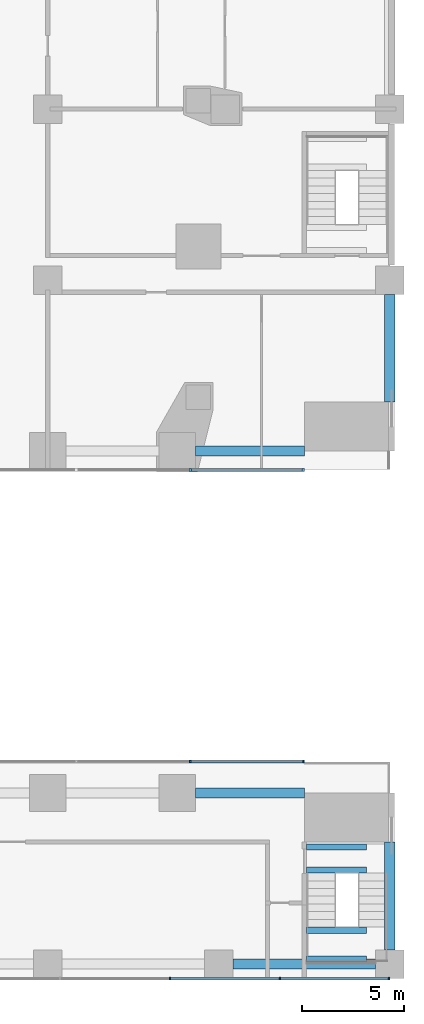
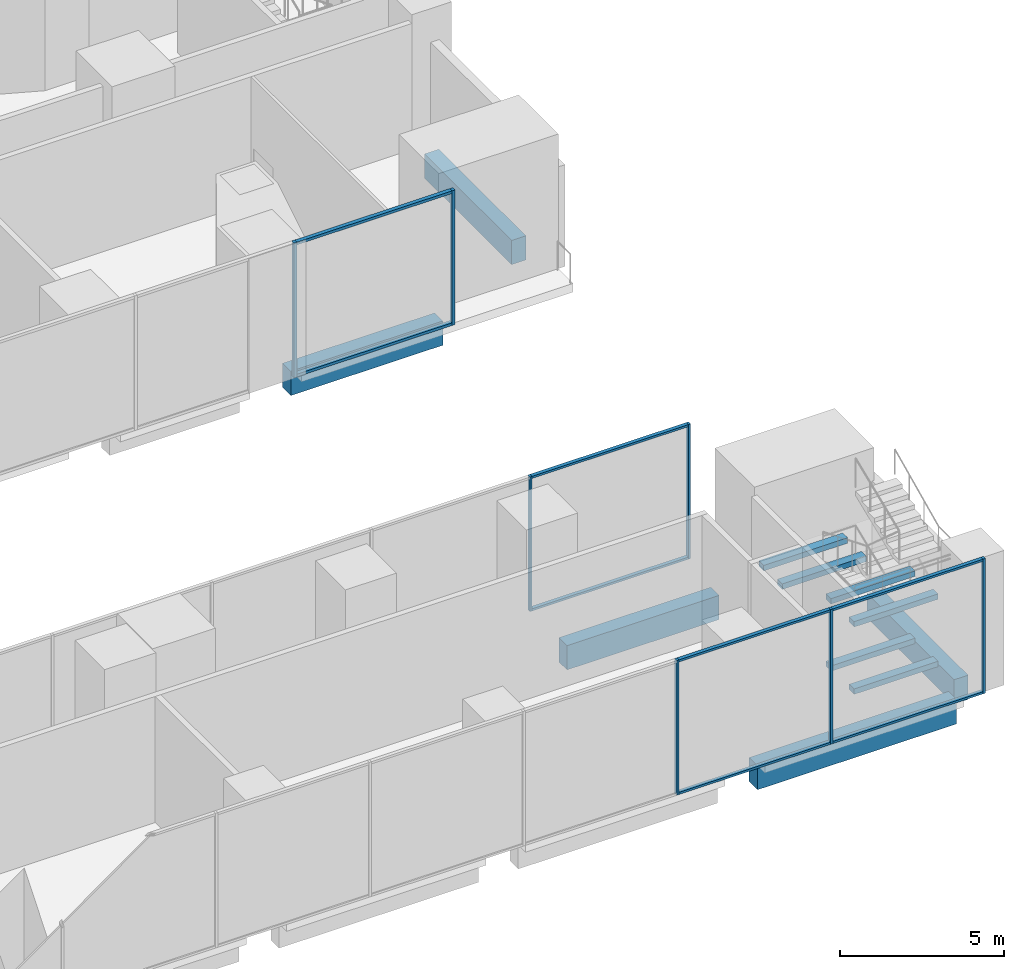
# One storey, part 7 of 24: 15 members, 11 beams, 3 elements without a shape of their own.
"""IFC4 building model written with IfcOpenShell, lengths in metres."""

import ifcopenshell
import ifcopenshell.guid

model = None  # the IFC model being written
_history = None  # IfcOwnerHistory: only IFC2X3 demands one
_inside = {}  # id of a spatial element -> (the spatial element, [elements in it])
_under = {}  # id of a project, library or spatial element -> (it, [spatial elements below it])
_declared = {}  # id of a project -> (the project, [libraries it declares])
_typed = {}  # id of a type object -> (the type object, [elements of that type])
_made_of = {}  # id of a material, layer set ... -> (it, [elements and type objects made of it])


def new_model(schema):
    """Start an empty IFC model of exactly this schema.

    Asked for "IFC4X3", IfcOpenShell would pick the latest addendum, in which some entities
    have other attributes; the version numbers below select the first issue.
    IFC2X3 requires an IfcOwnerHistory on every rooted entity: one is made here for all.
    """
    global model, _history
    if schema == "IFC4X3":
        model = ifcopenshell.file(schema_version=(4, 3, 0, 0))
    else:
        model = ifcopenshell.file(schema=schema)
    _inside.clear()
    _under.clear()
    _declared.clear()
    _typed.clear()
    _made_of.clear()
    _history = None
    if model.schema == "IFC2X3":
        org = make("IfcOrganization", Name="unknown")
        user = make(
            "IfcPersonAndOrganization",
            ThePerson=make("IfcPerson", FamilyName="unknown"),
            TheOrganization=org,
        )
        app = make(
            "IfcApplication",
            ApplicationDeveloper=org,
            Version="unknown",
            ApplicationFullName="unknown",
            ApplicationIdentifier="unknown",
        )
        _history = make(
            "IfcOwnerHistory",
            OwningUser=user,
            OwningApplication=app,
            ChangeAction="ADDED",
            CreationDate=0,
        )
    return model


def make(cls, **values):
    """One entity of the class cls with the attributes given. An attribute that is None is left unset."""
    return model.create_entity(
        cls, **{name: value for name, value in values.items() if value is not None}
    )


def rooted(cls, **values):
    """An entity with a GlobalId (a new one), such as an element, a storey or a relation."""
    return make(cls, GlobalId=ifcopenshell.guid.new(), OwnerHistory=_history, **values)


def si_unit(unit_type, name, prefix=None):
    """IfcSIUnit, for example si_unit("LENGTHUNIT", "METRE", prefix="MILLI")."""
    return make("IfcSIUnit", UnitType=unit_type, Prefix=prefix, Name=name)


def assignment(units):
    """IfcUnitAssignment: the units of a project."""
    return None if units is None else make("IfcUnitAssignment", Units=units)


def point(xyz):
    """IfcCartesianPoint."""
    return None if xyz is None else make("IfcCartesianPoint", Coordinates=xyz)


def direction(xyz):
    """IfcDirection."""
    return None if xyz is None else make("IfcDirection", DirectionRatios=xyz)


def frame(location, z_axis=None, x_axis=None):
    """IfcAxis2Placement3D, a coordinate frame: its origin and axes. An axis left out is left unset."""
    return make(
        "IfcAxis2Placement3D",
        Location=point(location),
        Axis=direction(z_axis),
        RefDirection=direction(x_axis),
    )


def frame_2d(location, x_axis=None):
    """IfcAxis2Placement2D, a coordinate frame in the plane: its origin and x axis."""
    return make(
        "IfcAxis2Placement2D", Location=point(location), RefDirection=direction(x_axis)
    )


def origin():
    """The frame at (0, 0, 0) with its axes left unset."""
    return frame((0.0, 0.0, 0.0))


def origin_2d():
    """The frame at (0, 0) in the plane with its x axis left unset."""
    return frame_2d((0.0, 0.0))


def place(relative_to, where):
    """IfcLocalPlacement: puts the frame where relative to a parent placement (None: the world)."""
    return make(
        "IfcLocalPlacement", PlacementRelTo=relative_to, RelativePlacement=where
    )


def context(
    kind, dimensions, precision=None, world=None, true_north=None, identifier=None
):
    """IfcGeometricRepresentationContext, for example the 3D "Model" context."""
    return make(
        "IfcGeometricRepresentationContext",
        ContextIdentifier=identifier,
        ContextType=kind,
        CoordinateSpaceDimension=dimensions,
        Precision=precision,
        WorldCoordinateSystem=world,
        TrueNorth=true_north,
    )


def subcontext(parent, identifier, kind, view, scale=None):
    """IfcGeometricRepresentationSubContext, for example "Body" below "Model"."""
    return make(
        "IfcGeometricRepresentationSubContext",
        ContextIdentifier=identifier,
        ContextType=kind,
        ParentContext=parent,
        TargetScale=scale,
        TargetView=view,
    )


def project(units=None, contexts=None):
    """IfcProject with its units and contexts."""
    return rooted(
        "IfcProject",
        Name="project",
        RepresentationContexts=contexts,
        UnitsInContext=assignment(units),
    )


def spatial(cls, under=None, at=None, **own):
    """A site, building, storey or space (cls), placed at a placement, below another one or the project."""
    s = rooted(cls, ObjectPlacement=at, **own)
    if under is not None:
        _under.setdefault(under.id(), (under, []))[1].append(s)
    return s


def profile(cls, at=None, kind="AREA", **sizes):
    """A parametric profile (cls). Its sizes go by their IFC names, for example OverallWidth=200.0."""
    return make(cls, ProfileType=kind, Position=at, **sizes)


def rectangle(**sizes):
    """IfcRectangleProfileDef."""
    return profile("IfcRectangleProfileDef", **sizes)


def extrude(swept, where, along, depth):
    """IfcExtrudedAreaSolid: the profile swept, set in the frame where, extruded along a direction by depth."""
    return make(
        "IfcExtrudedAreaSolid",
        SweptArea=swept,
        Position=where,
        ExtrudedDirection=direction(along),
        Depth=depth,
    )


def shape(context_of_items, identifier, shape_type, items):
    """IfcShapeRepresentation: the items that make up one representation, for example the "Body"."""
    return make(
        "IfcShapeRepresentation",
        ContextOfItems=context_of_items,
        RepresentationIdentifier=identifier,
        RepresentationType=shape_type,
        Items=items,
    )


def material(Name=None, Category=None):
    """IfcMaterial."""
    return make("IfcMaterial", Name=Name, Category=Category)


def layer(
    of_material, thickness, ventilated=None, Name=None, Category=None, Priority=None
):
    """IfcMaterialLayer: one layer of a wall or slab, of a material (None: an air gap)."""
    return make(
        "IfcMaterialLayer",
        Material=of_material,
        LayerThickness=thickness,
        IsVentilated=ventilated,
        Name=Name,
        Category=Category,
        Priority=Priority,
    )


def layer_set(layers, Name=None):
    """IfcMaterialLayerSet."""
    return make("IfcMaterialLayerSet", MaterialLayers=layers, LayerSetName=Name)


def material_profile(
    of_material, cross_section, Name=None, Category=None, Priority=None
):
    """IfcMaterialProfile: a cross section and its material."""
    return make(
        "IfcMaterialProfile",
        Name=Name,
        Material=of_material,
        Profile=cross_section,
        Priority=Priority,
        Category=Category,
    )


def profile_set(profiles, Name=None, composite=None):
    """IfcMaterialProfileSet."""
    return make(
        "IfcMaterialProfileSet",
        Name=Name,
        MaterialProfiles=profiles,
        CompositeProfile=composite,
    )


def made_of(thing, what):
    """Note that an element or type object is made of a material, layer set ...; save() writes the relation."""
    if what is not None:
        _made_of.setdefault(what.id(), (what, []))[1].append(thing)
    return thing


def type_object(cls, material=None, **own):
    """A type object (cls), such as IfcWallType, which elements share."""
    return made_of(rooted(cls, **own), material)


def element(
    cls,
    number,
    at=None,
    inside=None,
    cuts=None,
    type_object=None,
    material=None,
    context=None,
    identifier="Body",
    shape_type=None,
    held_by="IfcProductDefinitionShape",
    body=None,
    shapes=None,
    **own,
):
    """One element of the class cls, such as IfcWall. Its Tag is "e" and its number.

    at: its placement. inside: the storey or other place that contains it. cuts: it is an
    opening in that element (IfcRelVoidsElement). A single representation is given by context,
    identifier, shape_type and body (its items); several are given by shapes. held_by: the class
    of the entity that holds the representations. save() writes the other relations.
    """
    e = rooted(cls, Tag="e%d" % number, ObjectPlacement=at, **own)
    if body is not None:
        shapes = [shape(context, identifier, shape_type, body)]
    if shapes is not None:
        e.Representation = make(held_by, Representations=shapes)
    if inside is not None:
        _inside.setdefault(inside.id(), (inside, []))[1].append(e)
    if cuts is not None:
        rooted(
            "IfcRelVoidsElement", RelatingBuildingElement=cuts, RelatedOpeningElement=e
        )
    if type_object is not None:
        _typed.setdefault(type_object.id(), (type_object, []))[1].append(e)
    return made_of(e, material)


def aggregate(whole, parts):
    """IfcRelAggregates: a whole, such as a stair, and the parts it consists of."""
    return rooted("IfcRelAggregates", RelatingObject=whole, RelatedObjects=parts)


def save(model, path):
    """Write the relations noted so far, then the file.

    IfcRelAggregates (storeys below a building ...), IfcRelContainedInSpatialStructure (elements
    in a storey), IfcRelDefinesByType, IfcRelAssociatesMaterial and IfcRelDeclares: one each for
    every whole, place, type object, material and project.
    """
    for whole, parts in _under.values():
        aggregate(whole, parts)
    for where, things in _inside.values():
        rooted(
            "IfcRelContainedInSpatialStructure",
            RelatedElements=things,
            RelatingStructure=where,
        )
    for kind, things in _typed.values():
        rooted("IfcRelDefinesByType", RelatedObjects=things, RelatingType=kind)
    for what, things in _made_of.values():
        rooted("IfcRelAssociatesMaterial", RelatedObjects=things, RelatingMaterial=what)
    for by, libraries in _declared.values():
        rooted("IfcRelDeclares", RelatingContext=by, RelatedDefinitions=libraries)
    model.write(path)


model = new_model("IFC4")

# Units and contexts
model_context = context("Model", 3, precision=1e-05, world=origin(), true_north=direction((0.0, 1.0)))
body_context = subcontext(model_context, "Body", "Model", "MODEL_VIEW")
ifc_project = project(units=[si_unit("LENGTHUNIT", "METRE"), si_unit("AREAUNIT", "SQUARE_METRE"), si_unit("VOLUMEUNIT", "CUBIC_METRE"), si_unit("PLANEANGLEUNIT", "RADIAN"), si_unit("MASSUNIT", "GRAM", prefix="KILO")], contexts=[model_context])

# Site, building, storey
site_placement = place(None, origin())
site = spatial("IfcSite", under=ifc_project, at=site_placement, CompositionType="ELEMENT")
building_placement = place(site_placement, origin())
building = spatial("IfcBuilding", under=site, at=building_placement, Name="Marenta Gate Hotel Tower", CompositionType="ELEMENT")
storey_placement = place(building_placement, frame((0.0, 0.0, 8.0)))
storey = spatial("IfcBuildingStorey", under=building, at=storey_placement, Name="L01", CompositionType="ELEMENT", Elevation=8.0)

# Curtain wall, members
ifc_material_1 = material(Name="Tinted insulated glass in bronze anodised frame", Category="glass")
ifc_layer_1 = layer(ifc_material_1, 0.1298828125)
ifc_layer_set_1 = layer_set([ifc_layer_1], Name="Tinted insulated glass in bronze anodised frame")
curtain_wall_type_1 = type_object("IfcCurtainWallType", Name="Podium shopfront glazing CW5", PredefinedType="NOTDEFINED", material=ifc_layer_set_1)
curtain_wall_1_placement = place(storey_placement, origin())
curtain_wall_1 = element("IfcCurtainWall", 1, at=curtain_wall_1_placement, inside=storey, type_object=curtain_wall_type_1, Name="CW5 run SB-S000", PredefinedType="NOTDEFINED")
ifc_material_2 = material(Name="Bronze anodised aluminium", Category="aluminium")
ifc_material_profile_1 = material_profile(ifc_material_2, rectangle(XDim=0.1298828125, YDim=0.080078125, at=origin_2d()), Name="Mullion CW5 80x130 bronze anodised aluminium")
ifc_profile_set_1 = profile_set([ifc_material_profile_1], Name="Bronze anodised aluminium")
member_type_1 = type_object("IfcMemberType", Name="Mullion CW5 80x130 bronze anodised aluminium", PredefinedType="MULLION", material=ifc_profile_set_1)
member_1_placement = place(storey_placement, frame((27.0, -25.9189453125, 0.0), z_axis=(0.0, 0.0, 1.0), x_axis=(0.0, 1.0, 0.0)))
member_1 = element("IfcMember", 2, at=member_1_placement, type_object=member_type_1, Name="CW5 mullion 13", PredefinedType="MULLION", context=body_context, shape_type="SweptSolid", body=[
    extrude(rectangle(XDim=0.1298828125, YDim=0.080078125, at=origin_2d()), origin(), (0.0, 0.0, 1.0), 5.0),
])
member_2_placement = place(storey_placement, frame((32.39990234375, -25.9189453125, 0.0), z_axis=(0.0, 0.0, 1.0), x_axis=(0.0, 1.0, 0.0)))
member_2 = element("IfcMember", 3, at=member_2_placement, type_object=member_type_1, Name="CW5 mullion 14", PredefinedType="MULLION", context=body_context, shape_type="SweptSolid", body=[
    extrude(rectangle(XDim=0.1298828125, YDim=0.080078125, at=origin_2d()), origin(), (0.0, 0.0, 1.0), 5.0),
])
member_3_placement = place(storey_placement, frame((37.760009765625, -25.9189453125, 0.0), z_axis=(0.0, 0.0, 1.0), x_axis=(0.0, 1.0, 0.0)))
member_3 = element("IfcMember", 4, at=member_3_placement, type_object=member_type_1, Name="CW5 mullion 15", PredefinedType="MULLION", context=body_context, shape_type="SweptSolid", body=[
    extrude(rectangle(XDim=0.1298828125, YDim=0.080078125, at=origin_2d()), origin(), (0.0, 0.0, 1.0), 5.0),
])

curtain_wall_2_placement = place(storey_placement, origin())
curtain_wall_2 = element("IfcCurtainWall", 5, at=curtain_wall_2_placement, inside=storey, type_object=curtain_wall_type_1, Name="CW5 run SB-N000", PredefinedType="NOTDEFINED")
member_4_placement = place(storey_placement, frame((33.56005859375, -15.255859375, 0.0), z_axis=(0.0, 0.0, 1.0), x_axis=(0.0, -1.0, 0.0)))
member_4 = element("IfcMember", 6, at=member_4_placement, type_object=member_type_1, Name="CW5 mullion 1", PredefinedType="MULLION", context=body_context, shape_type="SweptSolid", body=[
    extrude(rectangle(XDim=0.1298828125, YDim=0.080078125, at=origin_2d()), origin(), (0.0, 0.0, 1.0), 5.0),
])
member_5_placement = place(storey_placement, frame((28.0, -15.255859375, 0.0), z_axis=(0.0, 0.0, 1.0), x_axis=(0.0, -1.0, 0.0)))
member_5 = element("IfcMember", 7, at=member_5_placement, type_object=member_type_1, Name="CW5 mullion 2", PredefinedType="MULLION", context=body_context, shape_type="SweptSolid", body=[
    extrude(rectangle(XDim=0.1298828125, YDim=0.080078125, at=origin_2d()), origin(), (0.0, 0.0, 1.0), 5.0),
])

ifc_material_3 = material(Name="Tinted insulated glass in bronze anodised frame", Category="glass")
ifc_layer_2 = layer(ifc_material_3, 0.139892578125)
ifc_layer_set_2 = layer_set([ifc_layer_2], Name="Tinted insulated glass in bronze anodised frame")
curtain_wall_type_2 = type_object("IfcCurtainWallType", Name="Hotel lobby glazing CW6", PredefinedType="NOTDEFINED", material=ifc_layer_set_2)
curtain_wall_3_placement = place(storey_placement, origin())
curtain_wall_3 = element("IfcCurtainWall", 8, at=curtain_wall_3_placement, inside=storey, type_object=curtain_wall_type_2, Name="CW6 run NB-S100", PredefinedType="NOTDEFINED")
ifc_material_4 = material(Name="Bronze anodised aluminium", Category="aluminium")
ifc_material_profile_2 = material_profile(ifc_material_4, rectangle(XDim=0.139892578125, YDim=0.10009765625, at=origin_2d()), Name="Mullion CW6 100x140 bronze anodised aluminium")
ifc_profile_set_2 = profile_set([ifc_material_profile_2], Name="Bronze anodised aluminium")
member_type_2 = type_object("IfcMemberType", Name="Mullion CW6 100x140 bronze anodised aluminium", PredefinedType="MULLION", material=ifc_profile_set_2)
member_6_placement = place(storey_placement, frame((28.0, -0.924072265625, 0.0), z_axis=(0.0, 0.0, 1.0), x_axis=(0.0, 1.0, 0.0)))
member_6 = element("IfcMember", 9, at=member_6_placement, type_object=member_type_2, Name="CW6 mullion 3", PredefinedType="MULLION", context=body_context, shape_type="SweptSolid", body=[
    extrude(rectangle(XDim=0.139892578125, YDim=0.10009765625, at=origin_2d()), origin(), (0.0, 0.0, 1.0), 5.0),
])
member_7_placement = place(storey_placement, frame((33.550048828125, -0.924072265625, 0.0), z_axis=(0.0, 0.0, 1.0), x_axis=(0.0, 1.0, 0.0)))
member_7 = element("IfcMember", 10, at=member_7_placement, type_object=member_type_2, Name="CW6 mullion 4", PredefinedType="MULLION", context=body_context, shape_type="SweptSolid", body=[
    extrude(rectangle(XDim=0.139892578125, YDim=0.10009765625, at=origin_2d()), origin(), (0.0, 0.0, 1.0), 5.0),
])

# Beams
ifc_material_5 = material(Name="Concrete C60", Category="concrete")
ifc_material_profile_3 = material_profile(ifc_material_5, rectangle(XDim=0.5, YDim=0.89990234375, at=origin_2d()), Name="500 x 900")
ifc_profile_set_3 = profile_set([ifc_material_profile_3], Name="Concrete C60")
beam_type_1 = type_object("IfcBeamType", Name="Podium edge beam 500 x 900 C60", PredefinedType="BEAM", material=ifc_profile_set_3)
beam_1_placement = place(storey_placement, frame((30.10009765625, -25.199951171875, -0.77001953125), z_axis=(1.0, 0.0, 0.0), x_axis=(0.0, 1.0, 0.0)))
element("IfcBeam", 11, at=beam_1_placement, inside=storey, type_object=beam_type_1, Name="L01-PBM-10", PredefinedType="BEAM", context=body_context, shape_type="SweptSolid", body=[
    extrude(rectangle(XDim=0.5, YDim=0.89990234375, at=origin_2d()), origin(), (0.0, 0.0, 1.0), 7.0),
])
beam_2_placement = place(storey_placement, frame((37.800048828125, -24.5, -0.77001953125), z_axis=(0.0, 1.0, 0.0), x_axis=(-1.0, 0.0, 0.0)))
element("IfcBeam", 12, at=beam_2_placement, inside=storey, type_object=beam_type_1, Name="L01-PBM-11", PredefinedType="BEAM", context=body_context, shape_type="SweptSolid", body=[
    extrude(rectangle(XDim=0.5, YDim=0.89990234375, at=origin_2d()), origin(), (0.0, 0.0, 1.0), 5.300048828125),
])
for number, where, z_axis, x_axis, name in (
    (13, (33.60009765625, -16.800048828125, -0.77001953125), (-1.0, 0.0, 0.0), (0.0, -1.0, 0.0), "L01-PBM-12"),
    (14, (28.262939453125, 0.0, -0.77001953125), (1.0, 0.0, 0.0), (0.0, 1.0, 0.0), "L01-PBM-25"),
):
    element("IfcBeam", number, at=place(storey_placement, frame(where, z_axis=z_axis, x_axis=x_axis)), inside=storey, type_object=beam_type_1, Name=name, PredefinedType="BEAM", context=body_context, shape_type="SweptSolid", body=[
        extrude(rectangle(XDim=0.5, YDim=0.89990234375, at=origin_2d()), origin(), (0.0, 0.0, 1.0), 5.337158203125),
    ])
beam_3_placement = place(storey_placement, frame((37.800048828125, 2.39990234375, -0.77001953125), z_axis=(0.0, 1.0, 0.0), x_axis=(-1.0, 0.0, 0.0)))
element("IfcBeam", 15, at=beam_3_placement, inside=storey, type_object=beam_type_1, Name="L01-PBM-26", PredefinedType="BEAM", context=body_context, shape_type="SweptSolid", body=[
    extrude(rectangle(XDim=0.5, YDim=0.89990234375, at=origin_2d()), origin(), (0.0, 0.0, 1.0), 5.300048828125),
])
ifc_material_6 = material(Name="Concrete C40", Category="concrete")
ifc_material_profile_4 = material_profile(ifc_material_6, rectangle(XDim=0.300048828125, YDim=0.199951171875, at=origin_2d()), Name="300 x 200")
ifc_profile_set_4 = profile_set([ifc_material_profile_4], Name="Concrete C40")
beam_type_2 = type_object("IfcBeamType", Name="Stair landing trimmer 300 x 200 C40", PredefinedType="BEAM", material=ifc_profile_set_4)
for number, where, z_axis, x_axis, name in (
    (16, (33.699951171875, -24.949951171875, 0.949951171875), (1.0, 0.0, 0.0), (0.0, 1.0, 0.0), "L01-PX2-LT-1"),
    (17, (33.699951171875, -23.5400390625, 0.949951171875), (1.0, 0.0, 0.0), (0.0, 1.0, 0.0), "L01-PX2-LT-2"),
    (18, (33.699951171875, -20.580078125, 2.199951171875), (1.0, 0.0, 0.0), (0.0, 1.0, 0.0), "L01-PX2-LT-3"),
    (19, (33.699951171875, -19.449951171875, 2.199951171875), (1.0, 0.0, 0.0), (0.0, 1.0, 0.0), "L01-PX2-LT-4"),
    (20, (33.699951171875, -24.949951171875, 3.449951171875), (1.0, 0.0, 0.0), (0.0, 1.0, 0.0), "L01-PX2-LT-5"),
    (21, (33.699951171875, -23.5400390625, 3.449951171875), (1.0, 0.0, 0.0), (0.0, 1.0, 0.0), "L01-PX2-LT-6"),
):
    element("IfcBeam", number, at=place(storey_placement, frame(where, z_axis=z_axis, x_axis=x_axis)), inside=storey, type_object=beam_type_2, Name=name, PredefinedType="BEAM", context=body_context, shape_type="SweptSolid", body=[
        extrude(rectangle(XDim=0.300048828125, YDim=0.199951171875, at=origin_2d()), origin(), (0.0, 0.0, 1.0), 2.949951171875),
    ])

# Member
ifc_material_7 = material(Name="Bronze anodised aluminium", Category="aluminium")
ifc_material_profile_5 = material_profile(ifc_material_7, rectangle(XDim=0.1298828125, YDim=0.080078125, at=origin_2d()), Name="Transom CW5 80x130 bronze anodised aluminium")
ifc_profile_set_5 = profile_set([ifc_material_profile_5], Name="Bronze anodised aluminium")
member_type_3 = type_object("IfcMemberType", Name="Transom CW5 80x130 bronze anodised aluminium", PredefinedType="USERDEFINED", material=ifc_profile_set_5)
member_8_placement = place(storey_placement, frame((27.0400390625, -25.9189453125, 0.0400390625), z_axis=(1.0, 0.0, 0.0), x_axis=(0.0, 1.0, 0.0)))
member_8 = element("IfcMember", 22, at=member_8_placement, type_object=member_type_3, Name="CW5 transom 13.1", ObjectType="TRANSOM", PredefinedType="USERDEFINED", context=body_context, shape_type="SweptSolid", body=[
    extrude(rectangle(XDim=0.1298828125, YDim=0.080078125, at=origin_2d()), origin(), (0.0, 0.0, 1.0), 5.320068359375),
])

member_9_placement = place(storey_placement, frame((27.0400390625, -25.9189453125, 4.9599609375), z_axis=(1.0, 0.0, 0.0), x_axis=(0.0, 1.0, 0.0)))
member_9 = element("IfcMember", 23, at=member_9_placement, type_object=member_type_3, Name="CW5 transom 13.2", ObjectType="TRANSOM", PredefinedType="USERDEFINED", context=body_context, shape_type="SweptSolid", body=[
    extrude(rectangle(XDim=0.1298828125, YDim=0.080078125, at=origin_2d()), origin(), (0.0, 0.0, 1.0), 5.320068359375),
])

member_10_placement = place(storey_placement, frame((32.43994140625, -25.9189453125, 0.0400390625), z_axis=(1.0, 0.0, 0.0), x_axis=(0.0, 1.0, 0.0)))
member_10 = element("IfcMember", 24, at=member_10_placement, type_object=member_type_3, Name="CW5 transom 14.1", ObjectType="TRANSOM", PredefinedType="USERDEFINED", context=body_context, shape_type="SweptSolid", body=[
    extrude(rectangle(XDim=0.1298828125, YDim=0.080078125, at=origin_2d()), origin(), (0.0, 0.0, 1.0), 5.280029296875),
])

member_11_placement = place(storey_placement, frame((32.43994140625, -25.9189453125, 4.9599609375), z_axis=(1.0, 0.0, 0.0), x_axis=(0.0, 1.0, 0.0)))
member_11 = element("IfcMember", 25, at=member_11_placement, type_object=member_type_3, Name="CW5 transom 14.2", ObjectType="TRANSOM", PredefinedType="USERDEFINED", context=body_context, shape_type="SweptSolid", body=[
    extrude(rectangle(XDim=0.1298828125, YDim=0.080078125, at=origin_2d()), origin(), (0.0, 0.0, 1.0), 5.280029296875),
])

aggregate(curtain_wall_1, [member_1, member_2, member_3, member_8, member_9, member_10, member_11])

member_12_placement = place(storey_placement, frame((33.52001953125, -15.255859375, 0.0400390625), z_axis=(-1.0, 0.0, 0.0), x_axis=(0.0, -1.0, 0.0)))
member_12 = element("IfcMember", 26, at=member_12_placement, type_object=member_type_3, Name="CW5 transom 1.1", ObjectType="TRANSOM", PredefinedType="USERDEFINED", context=body_context, shape_type="SweptSolid", body=[
    extrude(rectangle(XDim=0.1298828125, YDim=0.080078125, at=origin_2d()), origin(), (0.0, 0.0, 1.0), 5.47998046875),
])

member_13_placement = place(storey_placement, frame((33.52001953125, -15.255859375, 4.9599609375), z_axis=(-1.0, 0.0, 0.0), x_axis=(0.0, -1.0, 0.0)))
member_13 = element("IfcMember", 27, at=member_13_placement, type_object=member_type_3, Name="CW5 transom 1.2", ObjectType="TRANSOM", PredefinedType="USERDEFINED", context=body_context, shape_type="SweptSolid", body=[
    extrude(rectangle(XDim=0.1298828125, YDim=0.080078125, at=origin_2d()), origin(), (0.0, 0.0, 1.0), 5.47998046875),
])

aggregate(curtain_wall_2, [member_4, member_5, member_12, member_13])

ifc_material_8 = material(Name="Bronze anodised aluminium", Category="aluminium")
ifc_material_profile_6 = material_profile(ifc_material_8, rectangle(XDim=0.139892578125, YDim=0.10009765625, at=origin_2d()), Name="Transom CW6 100x140 bronze anodised aluminium")
ifc_profile_set_6 = profile_set([ifc_material_profile_6], Name="Bronze anodised aluminium")
member_type_4 = type_object("IfcMemberType", Name="Transom CW6 100x140 bronze anodised aluminium", PredefinedType="USERDEFINED", material=ifc_profile_set_6)
member_14_placement = place(storey_placement, frame((28.050048828125, -0.924072265625, 0.050048828125), z_axis=(1.0, 0.0, 0.0), x_axis=(0.0, 1.0, 0.0)))
member_14 = element("IfcMember", 28, at=member_14_placement, type_object=member_type_4, Name="CW6 transom 3.1", ObjectType="TRANSOM", PredefinedType="USERDEFINED", context=body_context, shape_type="SweptSolid", body=[
    extrude(rectangle(XDim=0.139892578125, YDim=0.10009765625, at=origin_2d()), origin(), (0.0, 0.0, 1.0), 5.449951171875),
])

member_15_placement = place(storey_placement, frame((28.050048828125, -0.924072265625, 4.949951171875), z_axis=(1.0, 0.0, 0.0), x_axis=(0.0, 1.0, 0.0)))
member_15 = element("IfcMember", 29, at=member_15_placement, type_object=member_type_4, Name="CW6 transom 3.2", ObjectType="TRANSOM", PredefinedType="USERDEFINED", context=body_context, shape_type="SweptSolid", body=[
    extrude(rectangle(XDim=0.139892578125, YDim=0.10009765625, at=origin_2d()), origin(), (0.0, 0.0, 1.0), 5.449951171875),
])

aggregate(curtain_wall_3, [member_6, member_7, member_14, member_15])

save(model, "model.ifc")
